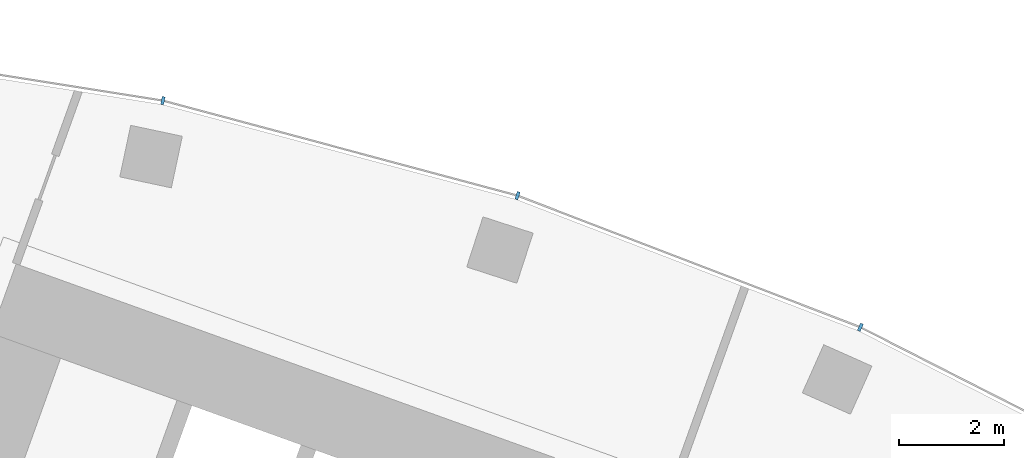
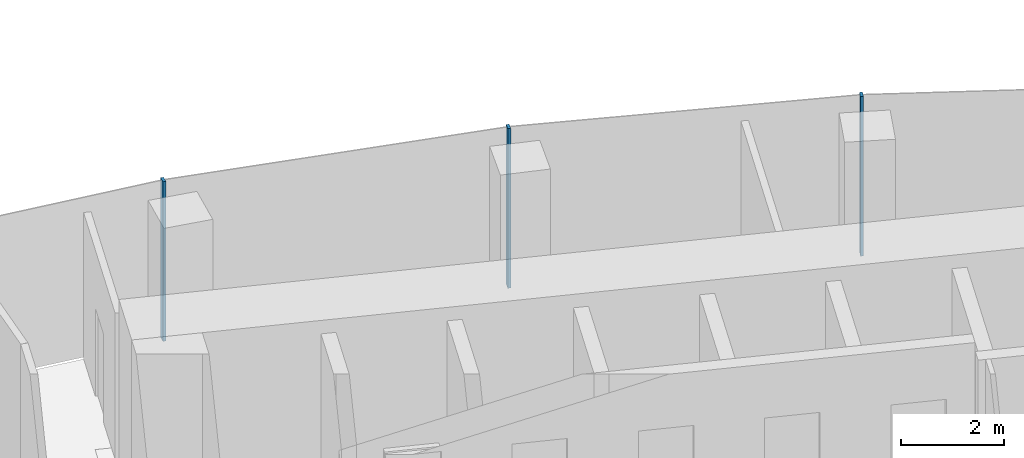
# One storey, part 10 of 20: 3 members, 1 element without a shape of its own.
"""IFC4 building model written with IfcOpenShell, lengths in metres."""

from ifc_helpers import new_model, si_unit, direction, frame, origin, origin_2d, place, context, subcontext, project, spatial, rectangle, extrude, material, layer, layer_set, material_profile, profile_set, type_object, element, aggregate, save


model = new_model("IFC4")

# Units and contexts
model_context = context("Model", 3, precision=1e-05, world=origin(), true_north=direction((0.0, 1.0)))
body_context = subcontext(model_context, "Body", "Model", "MODEL_VIEW")
ifc_project = project(units=[si_unit("LENGTHUNIT", "METRE"), si_unit("AREAUNIT", "SQUARE_METRE"), si_unit("VOLUMEUNIT", "CUBIC_METRE"), si_unit("PLANEANGLEUNIT", "RADIAN"), si_unit("MASSUNIT", "GRAM", prefix="KILO")], contexts=[model_context])

# Site, building, storey
site_placement = place(None, origin())
site = spatial("IfcSite", under=ifc_project, at=site_placement, CompositionType="ELEMENT")
building_placement = place(site_placement, origin())
building = spatial("IfcBuilding", under=site, at=building_placement, Name="Stone Belt Terrace Tower", CompositionType="ELEMENT")
storey_placement = place(building_placement, frame((0.0, 0.0, 170.60009765625)))
storey = spatial("IfcBuildingStorey", under=building, at=storey_placement, Name="L41", CompositionType="ELEMENT", Elevation=170.60009765625)

# Curtain wall, members
ifc_material = material(Name="Aluminium 6063-T6 anodised frame", Category="aluminium")
ifc_layer = layer(ifc_material, 0.14990234375)
ifc_layer_set = layer_set([ifc_layer], Name="CW-A unitised convex-face curtain wall")
curtain_wall_type = type_object("IfcCurtainWallType", Name="CW-A unitised convex-face curtain wall", PredefinedType="NOTDEFINED", material=ifc_layer_set)
curtain_wall_placement = place(storey_placement, origin())
curtain_wall = element("IfcCurtainWall", 1, at=curtain_wall_placement, inside=storey, type_object=curtain_wall_type, Name="CW-A convex face L41", PredefinedType="NOTDEFINED")
ifc_material_profile = material_profile(ifc_material, rectangle(XDim=0.14990234375, YDim=0.06005859375, at=origin_2d()), Name="Aluminium 6063-T6 60x150")
ifc_profile_set = profile_set([ifc_material_profile], Name="Aluminium 6063-T6 anodised frame")
member_type = type_object("IfcMemberType", Name="CW-A mullion 60 x 150", PredefinedType="MULLION", material=ifc_profile_set)
member_1_placement = place(storey_placement, frame((27.07861328125, 60.8193359375, 0.0), z_axis=(0.0, 0.0, 1.0), x_axis=(-0.406736643076, -0.913545457643, 0.0)))
member_1 = element("IfcMember", 2, at=member_1_placement, type_object=member_type, Name="CW-A mullion 4", PredefinedType="MULLION", context=body_context, shape_type="SweptSolid", body=[
    extrude(rectangle(XDim=0.14990234375, YDim=0.06005859375, at=origin_2d()), origin(), (0.0, 0.0, 1.0), 3.7998046875),
])
member_2_placement = place(storey_placement, frame((20.57275390625, 63.316650390625, 0.0), z_axis=(0.0, 0.0, 1.0), x_axis=(-0.309016994375, -0.951056516295, 0.0)))
member_2 = element("IfcMember", 3, at=member_2_placement, type_object=member_type, Name="CW-A mullion 5", PredefinedType="MULLION", context=body_context, shape_type="SweptSolid", body=[
    extrude(rectangle(XDim=0.14990234375, YDim=0.06005859375, at=origin_2d()), origin(), (0.0, 0.0, 1.0), 3.7998046875),
])
member_3_placement = place(storey_placement, frame((13.841796875, 65.120361328125, 0.0), z_axis=(0.0, 0.0, 1.0), x_axis=(-0.207911690818, -0.978147600734, 0.0)))
member_3 = element("IfcMember", 4, at=member_3_placement, type_object=member_type, Name="CW-A mullion 6", PredefinedType="MULLION", context=body_context, shape_type="SweptSolid", body=[
    extrude(rectangle(XDim=0.14990234375, YDim=0.06005859375, at=origin_2d()), origin(), (0.0, 0.0, 1.0), 3.7998046875),
])
aggregate(curtain_wall, [member_1, member_2, member_3])

save(model, "model.ifc")
